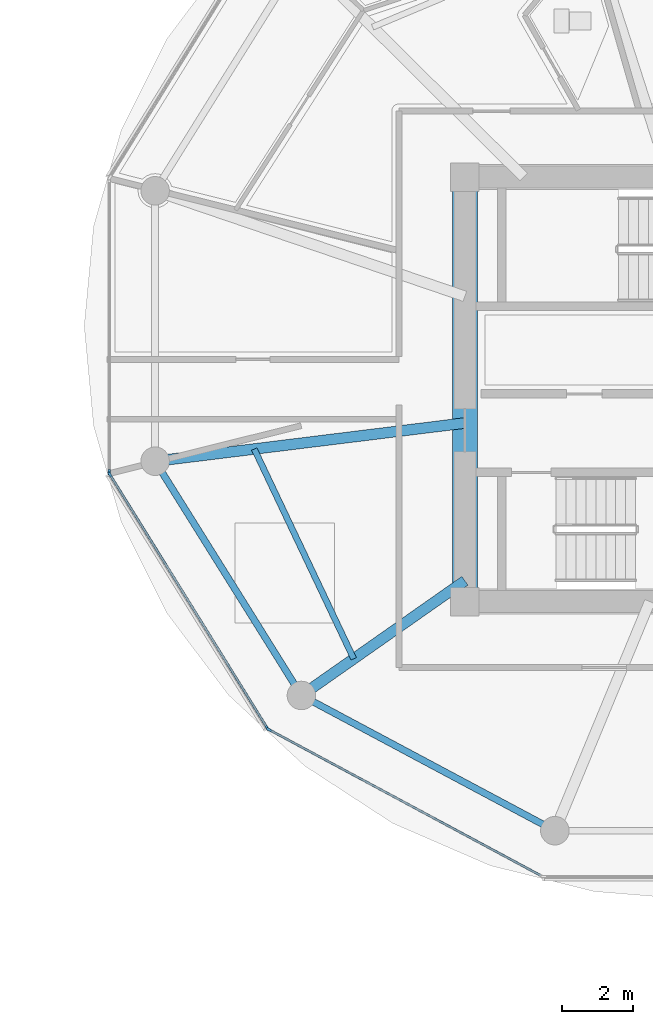
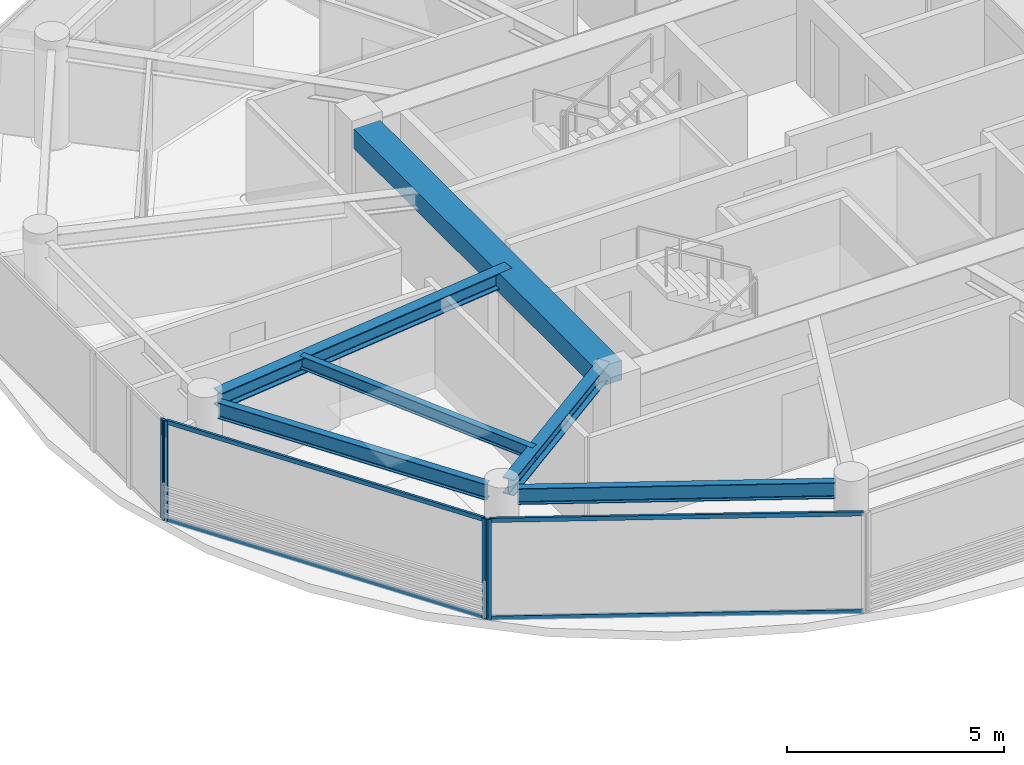
# One storey, part 6 of 25: 8 members, 6 beams, 3 elements without a shape of their own.
"""IFC4 building model written with IfcOpenShell, lengths in metres."""

from ifc_helpers import new_model, si_unit, direction, frame, origin, origin_2d, place, context, subcontext, project, spatial, rectangle, i_section, extrude, source, transform, mapped, material, layer, layer_set, material_profile, profile_set, type_object, type_shapes, element, aggregate, save


model = new_model("IFC4")

# Units and contexts
model_context = context("Model", 3, precision=1e-05, world=origin(), true_north=direction((0.0, 1.0)))
body_context = subcontext(model_context, "Body", "Model", "MODEL_VIEW")
ifc_project = project(units=[si_unit("LENGTHUNIT", "METRE"), si_unit("AREAUNIT", "SQUARE_METRE"), si_unit("VOLUMEUNIT", "CUBIC_METRE"), si_unit("PLANEANGLEUNIT", "RADIAN"), si_unit("MASSUNIT", "GRAM", prefix="KILO")], contexts=[model_context])

# Site, building, storey
site_placement = place(None, origin())
site = spatial("IfcSite", under=ifc_project, at=site_placement, CompositionType="ELEMENT")
building_placement = place(site_placement, origin())
building = spatial("IfcBuilding", under=site, at=building_placement, Name="Norrkilde Senior Care Towers", CompositionType="ELEMENT")
storey_placement = place(building_placement, frame((0.0, 0.0, 161.75)))
storey = spatial("IfcBuildingStorey", under=building, at=storey_placement, Name="L50", CompositionType="ELEMENT", Elevation=161.75)

# Beams
ifc_material_1 = material(Name="Concrete C60/75", Category="concrete")
ifc_material_profile_1 = material_profile(ifc_material_1, rectangle(XDim=0.699951171875, YDim=0.550048828125, at=origin_2d()), Name="RC BM 700x550")
ifc_profile_set_1 = profile_set([ifc_material_profile_1], Name="Concrete C60/75")
beam_type_1 = type_object("IfcBeamType", Name="Core Portal Coupling Beam 700x550", PredefinedType="USERDEFINED", material=ifc_profile_set_1)
shared_shape_1 = source(origin(), body_context, "Body", "SweptSolid", [
    extrude(rectangle(XDim=0.699951171875, YDim=0.550048828125, at=origin_2d()), origin(), (0.0, 0.0, 1.0), 11.14013671875),
])
type_shapes(beam_type_1, [shared_shape_1])
beam_1_placement = place(storey_placement, frame((20.35009765625, -5.570068359375, 2.534912109375), z_axis=(0.0, 1.0, 0.0), x_axis=(-1.0, 0.0, 0.0)))
element("IfcBeam", 1, at=beam_1_placement, inside=storey, type_object=beam_type_1, Name="L50 Core E W Coupling Girder", ObjectType="GIRDER", PredefinedType="USERDEFINED", context=body_context, shape_type="MappedRepresentation", body=[
    mapped(shared_shape_1, transform((0.0, 0.0, 0.0), x_axis=(1.0, 0.0, 0.0), y_axis=(0.0, 1.0, 0.0), z_axis=(0.0, 0.0, 1.0), scale=1.0)),
])
ifc_material_2 = material(Name="Steel S355", Category="steel")
ifc_material_profile_2 = material_profile(ifc_material_2, i_section(OverallWidth=0.18994140625, OverallDepth=0.449951171875, WebThickness=0.009521484375, FlangeThickness=0.0146484375, FilletRadius=0.02099609375, at=origin_2d()), Name="IPE 450")
ifc_profile_set_2 = profile_set([ifc_material_profile_2], Name="Steel S355")
beam_type_2 = type_object("IfcBeamType", Name="Perimeter Ring Spandrel Z3 IPE450", PredefinedType="SPANDREL", material=ifc_profile_set_2)
shared_shape_2 = source(origin(), body_context, "Body", "SweptSolid", [
    extrude(i_section(OverallWidth=0.18994140625, OverallDepth=0.449951171875, WebThickness=0.009521484375, FlangeThickness=0.0146484375, FilletRadius=0.02099609375, at=origin_2d()), origin(), (0.0, 0.0, 1.0), 7.023193359375),
])
beam_2_placement = place(storey_placement, frame((11.855712890625, -2.32177734375, 2.5849609375), z_axis=(0.529805197269, -0.848119362441, 0.0), x_axis=(0.848119362441, 0.529805197269, 0.0)))
element("IfcBeam", 2, at=beam_2_placement, inside=storey, type_object=beam_type_2, Name="L50 Drum E Perimeter Spandrel 07", PredefinedType="SPANDREL", context=body_context, shape_type="MappedRepresentation", body=[
    mapped(shared_shape_2, transform((0.0, 0.0, 0.0), x_axis=(1.0, 0.0, 0.0), y_axis=(0.0, 1.0, 0.0), z_axis=(0.0, 0.0, 1.0), scale=1.0)),
])
shared_shape_3 = source(origin(), body_context, "Body", "SweptSolid", [
    extrude(i_section(OverallWidth=0.18994140625, OverallDepth=0.449951171875, WebThickness=0.009521484375, FlangeThickness=0.0146484375, FilletRadius=0.02099609375, at=origin_2d()), origin(), (0.0, 0.0, 1.0), 7.333984375),
])
type_shapes(beam_type_2, [shared_shape_2, shared_shape_3])
beam_3_placement = place(storey_placement, frame((16.0849609375, -8.753173828125, 2.5849609375), z_axis=(0.882234038987, -0.470811109101, 0.0), x_axis=(0.470811109101, 0.882234038987, 0.0)))
element("IfcBeam", 3, at=beam_3_placement, inside=storey, type_object=beam_type_2, Name="L50 Drum E Perimeter Spandrel 08", PredefinedType="SPANDREL", context=body_context, shape_type="MappedRepresentation", body=[
    mapped(shared_shape_3, transform((0.0, 0.0, 0.0), x_axis=(1.0, 0.0, 0.0), y_axis=(0.0, 1.0, 0.0), z_axis=(0.0, 0.0, 1.0), scale=1.0)),
])
ifc_material_profile_3 = material_profile(ifc_material_2, i_section(OverallWidth=0.300048828125, OverallDepth=0.449951171875, WebThickness=0.013916015625, FlangeThickness=0.02587890625, FilletRadius=0.027099609375, at=origin_2d()), Name="HEB 450")
ifc_profile_set_3 = profile_set([ifc_material_profile_3], Name="Steel S355")
beam_type_3 = type_object("IfcBeamType", Name="Radial Floor Beam Z3 HEB450", PredefinedType="BEAM", material=ifc_profile_set_3)
shared_shape_4 = source(origin(), body_context, "Body", "SweptSolid", [
    extrude(i_section(OverallWidth=0.300048828125, OverallDepth=0.449951171875, WebThickness=0.013916015625, FlangeThickness=0.02587890625, FilletRadius=0.027099609375, at=origin_2d()), origin(), (0.0, 0.0, 1.0), 5.23828125),
])
beam_4_placement = place(storey_placement, frame((20.35009765625, -5.3681640625, 2.5849609375), z_axis=(-0.818592061291, -0.574375345215, 0.0), x_axis=(0.574375345215, -0.818592061291, 0.0)))
element("IfcBeam", 4, at=beam_4_placement, inside=storey, type_object=beam_type_3, Name="L50 Drum E Radial Floor Beam 08", PredefinedType="BEAM", context=body_context, shape_type="MappedRepresentation", body=[
    mapped(shared_shape_4, transform((0.0, 0.0, 0.0), x_axis=(1.0, 0.0, 0.0), y_axis=(0.0, 1.0, 0.0), z_axis=(0.0, 0.0, 1.0), scale=1.0)),
])
shared_shape_5 = source(origin(), body_context, "Body", "SweptSolid", [
    extrude(i_section(OverallWidth=0.300048828125, OverallDepth=0.449951171875, WebThickness=0.013916015625, FlangeThickness=0.02587890625, FilletRadius=0.027099609375, at=origin_2d()), origin(), (0.0, 0.0, 1.0), 8.390869140625),
])
type_shapes(beam_type_3, [shared_shape_4, shared_shape_5])
beam_5_placement = place(storey_placement, frame((20.35009765625, -0.9443359375, 2.5849609375), z_axis=(-0.99246916403, -0.122494728249, 0.0), x_axis=(0.122494728249, -0.99246916403, 0.0)))
element("IfcBeam", 5, at=beam_5_placement, inside=storey, type_object=beam_type_3, Name="L50 Drum E Radial Floor Beam 07", PredefinedType="BEAM", context=body_context, shape_type="MappedRepresentation", body=[
    mapped(shared_shape_5, transform((0.0, 0.0, 0.0), x_axis=(1.0, 0.0, 0.0), y_axis=(0.0, 1.0, 0.0), z_axis=(0.0, 0.0, 1.0), scale=1.0)),
])
ifc_material_profile_4 = material_profile(ifc_material_2, i_section(OverallWidth=0.169921875, OverallDepth=0.360107421875, WebThickness=0.008056640625, FlangeThickness=0.0126953125, FilletRadius=0.01806640625, at=origin_2d()), Name="IPE 360")
ifc_profile_set_4 = profile_set([ifc_material_profile_4], Name="Steel S355")
beam_type_4 = type_object("IfcBeamType", Name="Secondary Floor Joist IPE360", PredefinedType="JOIST", material=ifc_profile_set_4)
shared_shape_6 = source(origin(), body_context, "Body", "SweptSolid", [
    extrude(i_section(OverallWidth=0.169921875, OverallDepth=0.360107421875, WebThickness=0.008056640625, FlangeThickness=0.0126953125, FilletRadius=0.01806640625, at=origin_2d()), origin(), (0.0, 0.0, 1.0), 6.50927734375),
])
type_shapes(beam_type_4, [shared_shape_6])
beam_6_placement = place(storey_placement, frame((14.4443359375, -1.67333984375, 2.6298828125), z_axis=(0.428544169129, -0.90352083269, 0.0), x_axis=(0.90352083269, 0.428544169129, 0.0)))
element("IfcBeam", 6, at=beam_6_placement, inside=storey, type_object=beam_type_4, Name="L50 Drum E Secondary Floor Joist 3", PredefinedType="JOIST", context=body_context, shape_type="MappedRepresentation", body=[
    mapped(shared_shape_6, transform((0.0, 0.0, 0.0), x_axis=(1.0, 0.0, 0.0), y_axis=(0.0, 1.0, 0.0), z_axis=(0.0, 0.0, 1.0), scale=1.0)),
])

# Curtain wall, member
ifc_material_3 = material(Name="Triple Low-E Insulated Glazing", Category="glass")
ifc_layer = layer(ifc_material_3, 0.18994140625)
ifc_layer_set = layer_set([ifc_layer], Name="Triple Low-E Insulated Glazing")
curtain_wall_type = type_object("IfcCurtainWallType", Name="CW4 Zone 3 Senior Residence Curtain Wall", PredefinedType="NOTDEFINED", material=ifc_layer_set)
curtain_wall_1_placement = place(storey_placement, origin())
curtain_wall_1 = element("IfcCurtainWall", 7, at=curtain_wall_1_placement, inside=storey, type_object=curtain_wall_type, Name="L50 Drum E Curtain Wall 05", PredefinedType="NOTDEFINED")
ifc_material_4 = material(Name="Anodised Aluminium", Category="aluminium")
ifc_material_profile_5 = material_profile(ifc_material_4, rectangle(XDim=0.06494140625, YDim=0.14990234375, at=origin_2d()), Name="ALU MULL 65x150")
ifc_profile_set_5 = profile_set([ifc_material_profile_5], Name="Anodised Aluminium")
member_type_1 = type_object("IfcMemberType", Name="Curtain Wall Mullion Z3-Z4 65x150", PredefinedType="MULLION", material=ifc_profile_set_5)
shared_shape_7 = source(origin(), body_context, "Body", "SweptSolid", [
    extrude(rectangle(XDim=0.06494140625, YDim=0.14990234375, at=origin_2d()), origin(), (0.0, 0.0, 1.0), 2.81005859375),
])
type_shapes(member_type_1, [shared_shape_7])
member_1_placement = place(storey_placement, frame((10.38037109375, -2.328125, 0.0), z_axis=(0.0, 0.0, 1.0), x_axis=(-1.0, 0.0, 0.0)))
member_1 = element("IfcMember", 8, at=member_1_placement, type_object=member_type_1, Name="CW-4 mullion 1", PredefinedType="MULLION", context=body_context, shape_type="MappedRepresentation", body=[
    mapped(shared_shape_7, transform((0.0, 0.0, 0.0), x_axis=(1.0, 0.0, 0.0), y_axis=(0.0, 1.0, 0.0), z_axis=(0.0, 0.0, 1.0), scale=1.0)),
])
aggregate(curtain_wall_1, [member_1])

# Curtain wall, members
curtain_wall_2_placement = place(storey_placement, origin())
curtain_wall_2 = element("IfcCurtainWall", 9, at=curtain_wall_2_placement, inside=storey, type_object=curtain_wall_type, Name="L50 Drum E Curtain Wall 06", PredefinedType="NOTDEFINED")
member_2_placement = place(storey_placement, frame((14.809814453125, -9.49658203125, 0.0), z_axis=(0.0, 0.0, 1.0), x_axis=(-0.84963405474, -0.52737270789, 0.0)))
member_2 = element("IfcMember", 10, at=member_2_placement, type_object=member_type_1, Name="CW-4 mullion 1", PredefinedType="MULLION", context=body_context, shape_type="MappedRepresentation", body=[
    mapped(shared_shape_7, transform((0.0, 0.0, 0.0), x_axis=(1.0, 0.0, 0.0), y_axis=(0.0, 1.0, 0.0), z_axis=(0.0, 0.0, 1.0), scale=1.0)),
])
member_3_placement = place(storey_placement, frame((10.3974609375, -2.38818359375, 0.0), z_axis=(0.0, 0.0, 1.0), x_axis=(-0.84963405474, -0.52737270789, 0.0)))
member_3 = element("IfcMember", 11, at=member_3_placement, type_object=member_type_1, Name="CW-4 mullion 2", PredefinedType="MULLION", context=body_context, shape_type="MappedRepresentation", body=[
    mapped(shared_shape_7, transform((0.0, 0.0, 0.0), x_axis=(1.0, 0.0, 0.0), y_axis=(0.0, 1.0, 0.0), z_axis=(0.0, 0.0, 1.0), scale=1.0)),
])

# Curtain wall, member
curtain_wall_3_placement = place(storey_placement, origin())
curtain_wall_3 = element("IfcCurtainWall", 12, at=curtain_wall_3_placement, inside=storey, type_object=curtain_wall_type, Name="L50 Drum E Curtain Wall 07", PredefinedType="NOTDEFINED")
member_4_placement = place(storey_placement, frame((14.85546875, -9.53955078125, 0.0), z_axis=(0.0, 0.0, 1.0), x_axis=(-0.47311715104, -0.880999524059, 0.0)))
member_4 = element("IfcMember", 13, at=member_4_placement, type_object=member_type_1, Name="CW-4 mullion 2", PredefinedType="MULLION", context=body_context, shape_type="MappedRepresentation", body=[
    mapped(shared_shape_7, transform((0.0, 0.0, 0.0), x_axis=(1.0, 0.0, 0.0), y_axis=(0.0, 1.0, 0.0), z_axis=(0.0, 0.0, 1.0), scale=1.0)),
])

# Member
ifc_material_profile_6 = material_profile(ifc_material_4, rectangle(XDim=0.06005859375, YDim=0.1201171875, at=origin_2d()), Name="ALU TRAN 60x120")
ifc_profile_set_6 = profile_set([ifc_material_profile_6], Name="Anodised Aluminium")
member_type_2 = type_object("IfcMemberType", Name="Curtain Wall Transom Typical 60x120", PredefinedType="USERDEFINED", material=ifc_profile_set_6)
shared_shape_8 = source(origin(), body_context, "Body", "SweptSolid", [
    extrude(rectangle(XDim=0.06005859375, YDim=0.1201171875, at=origin_2d()), origin(), (0.0, 0.0, 1.0), 8.301513671875),
])
member_5_placement = place(storey_placement, frame((14.792724609375, -9.468994140625, 0.030029296875), z_axis=(-0.527368718394, 0.849636531029, 0.0), x_axis=(-0.849636531029, -0.527368718394, 0.0)))
member_5 = element("IfcMember", 14, at=member_5_placement, type_object=member_type_2, Name="CW-4 transom 1.1", ObjectType="TRANSOM", PredefinedType="USERDEFINED", context=body_context, shape_type="MappedRepresentation", body=[
    mapped(shared_shape_8, transform((0.0, 0.0, 0.0), x_axis=(1.0, 0.0, 0.0), y_axis=(0.0, 1.0, 0.0), z_axis=(0.0, 0.0, 1.0), scale=1.0)),
])

member_6_placement = place(storey_placement, frame((14.792724609375, -9.468994140625, 2.780029296875), z_axis=(-0.527368718394, 0.849636531029, 0.0), x_axis=(-0.849636531029, -0.527368718394, 0.0)))
member_6 = element("IfcMember", 15, at=member_6_placement, type_object=member_type_2, Name="CW-4 transom 1.2", ObjectType="TRANSOM", PredefinedType="USERDEFINED", context=body_context, shape_type="MappedRepresentation", body=[
    mapped(shared_shape_8, transform((0.0, 0.0, 0.0), x_axis=(1.0, 0.0, 0.0), y_axis=(0.0, 1.0, 0.0), z_axis=(0.0, 0.0, 1.0), scale=1.0)),
])

aggregate(curtain_wall_2, [member_2, member_3, member_5, member_6])

shared_shape_9 = source(origin(), body_context, "Body", "SweptSolid", [
    extrude(rectangle(XDim=0.06005859375, YDim=0.1201171875, at=origin_2d()), origin(), (0.0, 0.0, 1.0), 8.61181640625),
])
type_shapes(member_type_2, [shared_shape_8, shared_shape_9])
member_7_placement = place(storey_placement, frame((22.47119140625, -13.62939453125, 0.030029296875), z_axis=(-0.880993991641, 0.473127452906, 0.0), x_axis=(-0.473127452906, -0.880993991641, 0.0)))
member_7 = element("IfcMember", 16, at=member_7_placement, type_object=member_type_2, Name="CW-4 transom 1.1", ObjectType="TRANSOM", PredefinedType="USERDEFINED", context=body_context, shape_type="MappedRepresentation", body=[
    mapped(shared_shape_9, transform((0.0, 0.0, 0.0), x_axis=(1.0, 0.0, 0.0), y_axis=(0.0, 1.0, 0.0), z_axis=(0.0, 0.0, 1.0), scale=1.0)),
])

member_8_placement = place(storey_placement, frame((22.47119140625, -13.62939453125, 2.780029296875), z_axis=(-0.880993991641, 0.473127452906, 0.0), x_axis=(-0.473127452906, -0.880993991641, 0.0)))
member_8 = element("IfcMember", 17, at=member_8_placement, type_object=member_type_2, Name="CW-4 transom 1.2", ObjectType="TRANSOM", PredefinedType="USERDEFINED", context=body_context, shape_type="MappedRepresentation", body=[
    mapped(shared_shape_9, transform((0.0, 0.0, 0.0), x_axis=(1.0, 0.0, 0.0), y_axis=(0.0, 1.0, 0.0), z_axis=(0.0, 0.0, 1.0), scale=1.0)),
])

aggregate(curtain_wall_3, [member_4, member_7, member_8])

save(model, "model.ifc")
